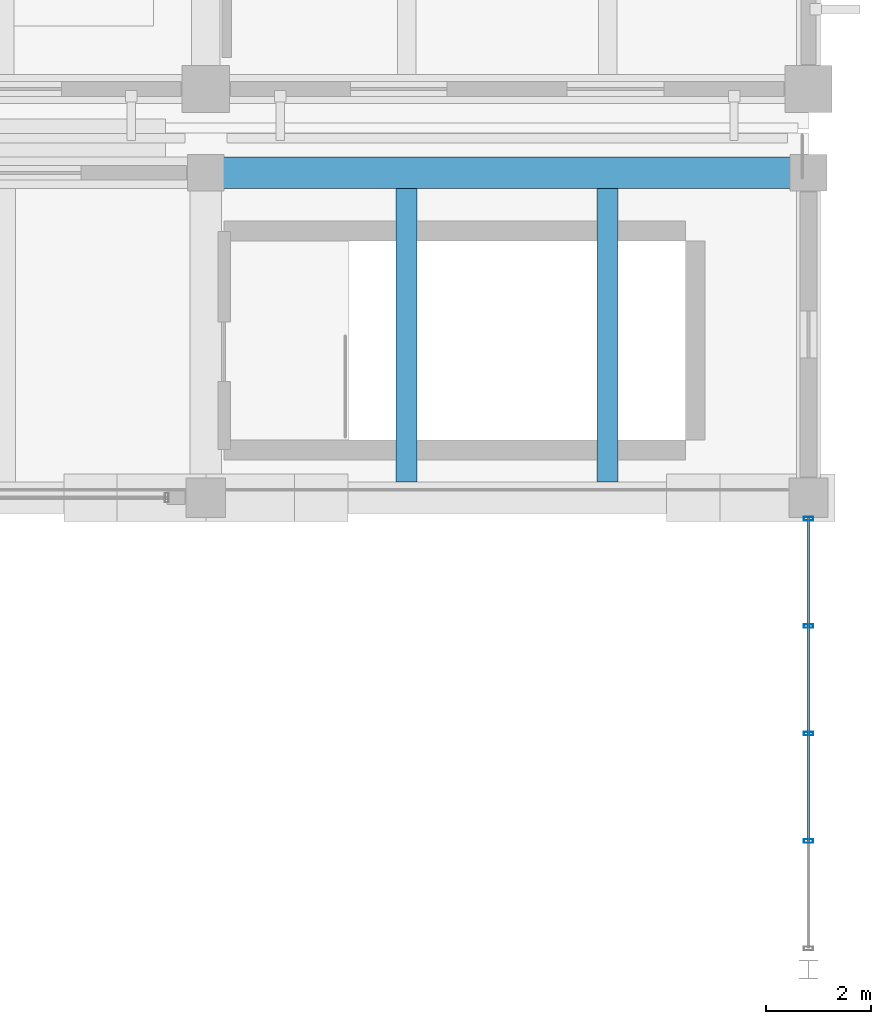
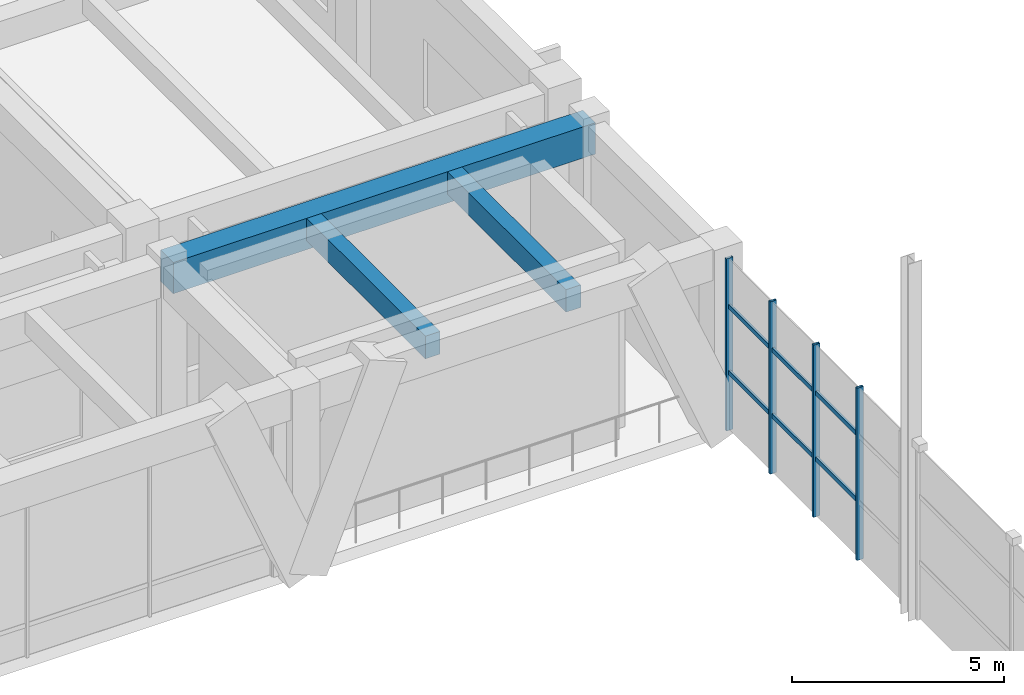
# One storey, part 108 of 148: 10 members, 3 beams, 1 element without a shape of its own.
"""IFC4 building model written with IfcOpenShell, lengths in metres."""

import ifcopenshell
import ifcopenshell.guid

model = None  # the IFC model being written
_history = None  # IfcOwnerHistory: only IFC2X3 demands one
_inside = {}  # id of a spatial element -> (the spatial element, [elements in it])
_under = {}  # id of a project, library or spatial element -> (it, [spatial elements below it])
_declared = {}  # id of a project -> (the project, [libraries it declares])
_typed = {}  # id of a type object -> (the type object, [elements of that type])
_made_of = {}  # id of a material, layer set ... -> (it, [elements and type objects made of it])


def new_model(schema):
    """Start an empty IFC model of exactly this schema.

    Asked for "IFC4X3", IfcOpenShell would pick the latest addendum, in which some entities
    have other attributes; the version numbers below select the first issue.
    IFC2X3 requires an IfcOwnerHistory on every rooted entity: one is made here for all.
    """
    global model, _history
    if schema == "IFC4X3":
        model = ifcopenshell.file(schema_version=(4, 3, 0, 0))
    else:
        model = ifcopenshell.file(schema=schema)
    _inside.clear()
    _under.clear()
    _declared.clear()
    _typed.clear()
    _made_of.clear()
    _history = None
    if model.schema == "IFC2X3":
        org = make("IfcOrganization", Name="unknown")
        user = make(
            "IfcPersonAndOrganization",
            ThePerson=make("IfcPerson", FamilyName="unknown"),
            TheOrganization=org,
        )
        app = make(
            "IfcApplication",
            ApplicationDeveloper=org,
            Version="unknown",
            ApplicationFullName="unknown",
            ApplicationIdentifier="unknown",
        )
        _history = make(
            "IfcOwnerHistory",
            OwningUser=user,
            OwningApplication=app,
            ChangeAction="ADDED",
            CreationDate=0,
        )
    return model


def make(cls, **values):
    """One entity of the class cls with the attributes given. An attribute that is None is left unset."""
    return model.create_entity(
        cls, **{name: value for name, value in values.items() if value is not None}
    )


def rooted(cls, **values):
    """An entity with a GlobalId (a new one), such as an element, a storey or a relation."""
    return make(cls, GlobalId=ifcopenshell.guid.new(), OwnerHistory=_history, **values)


def si_unit(unit_type, name, prefix=None):
    """IfcSIUnit, for example si_unit("LENGTHUNIT", "METRE", prefix="MILLI")."""
    return make("IfcSIUnit", UnitType=unit_type, Prefix=prefix, Name=name)


def assignment(units):
    """IfcUnitAssignment: the units of a project."""
    return None if units is None else make("IfcUnitAssignment", Units=units)


def point(xyz):
    """IfcCartesianPoint."""
    return None if xyz is None else make("IfcCartesianPoint", Coordinates=xyz)


def direction(xyz):
    """IfcDirection."""
    return None if xyz is None else make("IfcDirection", DirectionRatios=xyz)


def frame(location, z_axis=None, x_axis=None):
    """IfcAxis2Placement3D, a coordinate frame: its origin and axes. An axis left out is left unset."""
    return make(
        "IfcAxis2Placement3D",
        Location=point(location),
        Axis=direction(z_axis),
        RefDirection=direction(x_axis),
    )


def frame_2d(location, x_axis=None):
    """IfcAxis2Placement2D, a coordinate frame in the plane: its origin and x axis."""
    return make(
        "IfcAxis2Placement2D", Location=point(location), RefDirection=direction(x_axis)
    )


def origin():
    """The frame at (0, 0, 0) with its axes left unset."""
    return frame((0.0, 0.0, 0.0))


def origin_2d():
    """The frame at (0, 0) in the plane with its x axis left unset."""
    return frame_2d((0.0, 0.0))


def place(relative_to, where):
    """IfcLocalPlacement: puts the frame where relative to a parent placement (None: the world)."""
    return make(
        "IfcLocalPlacement", PlacementRelTo=relative_to, RelativePlacement=where
    )


def context(
    kind, dimensions, precision=None, world=None, true_north=None, identifier=None
):
    """IfcGeometricRepresentationContext, for example the 3D "Model" context."""
    return make(
        "IfcGeometricRepresentationContext",
        ContextIdentifier=identifier,
        ContextType=kind,
        CoordinateSpaceDimension=dimensions,
        Precision=precision,
        WorldCoordinateSystem=world,
        TrueNorth=true_north,
    )


def subcontext(parent, identifier, kind, view, scale=None):
    """IfcGeometricRepresentationSubContext, for example "Body" below "Model"."""
    return make(
        "IfcGeometricRepresentationSubContext",
        ContextIdentifier=identifier,
        ContextType=kind,
        ParentContext=parent,
        TargetScale=scale,
        TargetView=view,
    )


def project(units=None, contexts=None):
    """IfcProject with its units and contexts."""
    return rooted(
        "IfcProject",
        Name="project",
        RepresentationContexts=contexts,
        UnitsInContext=assignment(units),
    )


def spatial(cls, under=None, at=None, **own):
    """A site, building, storey or space (cls), placed at a placement, below another one or the project."""
    s = rooted(cls, ObjectPlacement=at, **own)
    if under is not None:
        _under.setdefault(under.id(), (under, []))[1].append(s)
    return s


def profile(cls, at=None, kind="AREA", **sizes):
    """A parametric profile (cls). Its sizes go by their IFC names, for example OverallWidth=200.0."""
    return make(cls, ProfileType=kind, Position=at, **sizes)


def rectangle(**sizes):
    """IfcRectangleProfileDef."""
    return profile("IfcRectangleProfileDef", **sizes)


def hollow_rectangle(**sizes):
    """IfcRectangleHollowProfileDef."""
    return profile("IfcRectangleHollowProfileDef", **sizes)


def extrude(swept, where, along, depth):
    """IfcExtrudedAreaSolid: the profile swept, set in the frame where, extruded along a direction by depth."""
    return make(
        "IfcExtrudedAreaSolid",
        SweptArea=swept,
        Position=where,
        ExtrudedDirection=direction(along),
        Depth=depth,
    )


def shape(context_of_items, identifier, shape_type, items):
    """IfcShapeRepresentation: the items that make up one representation, for example the "Body"."""
    return make(
        "IfcShapeRepresentation",
        ContextOfItems=context_of_items,
        RepresentationIdentifier=identifier,
        RepresentationType=shape_type,
        Items=items,
    )


def material(Name=None, Category=None):
    """IfcMaterial."""
    return make("IfcMaterial", Name=Name, Category=Category)


def material_profile(
    of_material, cross_section, Name=None, Category=None, Priority=None
):
    """IfcMaterialProfile: a cross section and its material."""
    return make(
        "IfcMaterialProfile",
        Name=Name,
        Material=of_material,
        Profile=cross_section,
        Priority=Priority,
        Category=Category,
    )


def profile_set(profiles, Name=None, composite=None):
    """IfcMaterialProfileSet."""
    return make(
        "IfcMaterialProfileSet",
        Name=Name,
        MaterialProfiles=profiles,
        CompositeProfile=composite,
    )


def made_of(thing, what):
    """Note that an element or type object is made of a material, layer set ...; save() writes the relation."""
    if what is not None:
        _made_of.setdefault(what.id(), (what, []))[1].append(thing)
    return thing


def type_object(cls, material=None, **own):
    """A type object (cls), such as IfcWallType, which elements share."""
    return made_of(rooted(cls, **own), material)


def element(
    cls,
    number,
    at=None,
    inside=None,
    cuts=None,
    type_object=None,
    material=None,
    context=None,
    identifier="Body",
    shape_type=None,
    held_by="IfcProductDefinitionShape",
    body=None,
    shapes=None,
    **own,
):
    """One element of the class cls, such as IfcWall. Its Tag is "e" and its number.

    at: its placement. inside: the storey or other place that contains it. cuts: it is an
    opening in that element (IfcRelVoidsElement). A single representation is given by context,
    identifier, shape_type and body (its items); several are given by shapes. held_by: the class
    of the entity that holds the representations. save() writes the other relations.
    """
    e = rooted(cls, Tag="e%d" % number, ObjectPlacement=at, **own)
    if body is not None:
        shapes = [shape(context, identifier, shape_type, body)]
    if shapes is not None:
        e.Representation = make(held_by, Representations=shapes)
    if inside is not None:
        _inside.setdefault(inside.id(), (inside, []))[1].append(e)
    if cuts is not None:
        rooted(
            "IfcRelVoidsElement", RelatingBuildingElement=cuts, RelatedOpeningElement=e
        )
    if type_object is not None:
        _typed.setdefault(type_object.id(), (type_object, []))[1].append(e)
    return made_of(e, material)


def aggregate(whole, parts):
    """IfcRelAggregates: a whole, such as a stair, and the parts it consists of."""
    return rooted("IfcRelAggregates", RelatingObject=whole, RelatedObjects=parts)


def save(model, path):
    """Write the relations noted so far, then the file.

    IfcRelAggregates (storeys below a building ...), IfcRelContainedInSpatialStructure (elements
    in a storey), IfcRelDefinesByType, IfcRelAssociatesMaterial and IfcRelDeclares: one each for
    every whole, place, type object, material and project.
    """
    for whole, parts in _under.values():
        aggregate(whole, parts)
    for where, things in _inside.values():
        rooted(
            "IfcRelContainedInSpatialStructure",
            RelatedElements=things,
            RelatingStructure=where,
        )
    for kind, things in _typed.values():
        rooted("IfcRelDefinesByType", RelatedObjects=things, RelatingType=kind)
    for what, things in _made_of.values():
        rooted("IfcRelAssociatesMaterial", RelatedObjects=things, RelatingMaterial=what)
    for by, libraries in _declared.values():
        rooted("IfcRelDeclares", RelatingContext=by, RelatedDefinitions=libraries)
    model.write(path)


model = new_model("IFC4")

# Units and contexts
model_context = context("Model", 3, precision=1e-05, world=origin(), true_north=direction((0.0, 1.0)))
body_context = subcontext(model_context, "Body", "Model", "MODEL_VIEW")
ifc_project = project(units=[si_unit("LENGTHUNIT", "METRE"), si_unit("AREAUNIT", "SQUARE_METRE"), si_unit("VOLUMEUNIT", "CUBIC_METRE"), si_unit("PLANEANGLEUNIT", "RADIAN"), si_unit("MASSUNIT", "GRAM", prefix="KILO")], contexts=[model_context])

# Site, building, storey
site_placement = place(None, origin())
site = spatial("IfcSite", under=ifc_project, at=site_placement, CompositionType="ELEMENT")
building_placement = place(site_placement, origin())
building = spatial("IfcBuilding", under=site, at=building_placement, Name="Ologun Quay Terminus", CompositionType="ELEMENT")
storey_placement = place(building_placement, frame((0.0, 0.0, 8.39990234375)))
storey = spatial("IfcBuildingStorey", under=building, at=storey_placement, Name="L02", CompositionType="ELEMENT", Elevation=8.39990234375)

# Curtain wall, members
ifc_material_1 = material(Name="Aluminium 6063-T6", Category="aluminium")
curtain_wall_type = type_object("IfcCurtainWallType", Name="Train Shed Gable Arch Screen 13500x4900", PredefinedType="USERDEFINED", material=ifc_material_1)
curtain_wall_placement = place(storey_placement, origin())
curtain_wall = element("IfcCurtainWall", 1, at=curtain_wall_placement, inside=storey, type_object=curtain_wall_type, Name="CW-10 Curtain Wall CW-GBL-E3", ObjectType="UNITISED CURTAIN WALL", PredefinedType="USERDEFINED")
ifc_material_2 = material(Name="Aluminium 6063-T6", Category="aluminium")
ifc_material_profile_1 = material_profile(ifc_material_2, hollow_rectangle(XDim=0.070068359375, YDim=0.179931640625, WallThickness=0.0048828125, at=origin_2d()), Name="ALU 180x70x5")
ifc_profile_set_1 = profile_set([ifc_material_profile_1], Name="Aluminium 6063-T6")
member_type_1 = type_object("IfcMemberType", Name="Concourse Clerestory Mullion 180x70", PredefinedType="MULLION", material=ifc_profile_set_1)
member_1_placement = place(storey_placement, frame((184.0, 71.449951171875, 0.14013671875), z_axis=(0.0, 0.0, 1.0), x_axis=(0.0, 1.0, 0.0)))
member_1 = element("IfcMember", 2, at=member_1_placement, type_object=member_type_1, Name="CW-GBL-E3 Mullion 2", PredefinedType="MULLION", context=body_context, shape_type="SweptSolid", body=[
    extrude(hollow_rectangle(XDim=0.070068359375, YDim=0.179931640625, WallThickness=0.0048828125, at=origin_2d()), origin(), (0.0, 0.0, 1.0), 4.9599609375),
])
member_2_placement = place(storey_placement, frame((184.0, 73.5, 0.14013671875), z_axis=(0.0, 0.0, 1.0), x_axis=(0.0, 1.0, 0.0)))
member_2 = element("IfcMember", 3, at=member_2_placement, type_object=member_type_1, Name="CW-GBL-E3 Mullion 3", PredefinedType="MULLION", context=body_context, shape_type="SweptSolid", body=[
    extrude(hollow_rectangle(XDim=0.070068359375, YDim=0.179931640625, WallThickness=0.0048828125, at=origin_2d()), origin(), (0.0, 0.0, 1.0), 4.9599609375),
])
member_3_placement = place(storey_placement, frame((184.0, 75.550048828125, 0.14013671875), z_axis=(0.0, 0.0, 1.0), x_axis=(0.0, 1.0, 0.0)))
member_3 = element("IfcMember", 4, at=member_3_placement, type_object=member_type_1, Name="CW-GBL-E3 Mullion 4", PredefinedType="MULLION", context=body_context, shape_type="SweptSolid", body=[
    extrude(hollow_rectangle(XDim=0.070068359375, YDim=0.179931640625, WallThickness=0.0048828125, at=origin_2d()), origin(), (0.0, 0.0, 1.0), 4.9599609375),
])
member_4_placement = place(storey_placement, frame((184.0, 77.60009765625, 0.14013671875), z_axis=(0.0, 0.0, 1.0), x_axis=(0.0, 1.0, 0.0)))
member_4 = element("IfcMember", 5, at=member_4_placement, type_object=member_type_1, Name="CW-GBL-E3 Mullion 5", PredefinedType="MULLION", context=body_context, shape_type="SweptSolid", body=[
    extrude(hollow_rectangle(XDim=0.070068359375, YDim=0.179931640625, WallThickness=0.0048828125, at=origin_2d()), origin(), (0.0, 0.0, 1.0), 4.9599609375),
])
ifc_material_3 = material(Name="Aluminium 6063-T6", Category="aluminium")
ifc_material_profile_2 = material_profile(ifc_material_3, hollow_rectangle(XDim=0.06005859375, YDim=0.1298828125, WallThickness=0.00390625, at=origin_2d()), Name="ALU 130x60x4")
ifc_profile_set_2 = profile_set([ifc_material_profile_2], Name="Aluminium 6063-T6")
member_type_2 = type_object("IfcMemberType", Name="Concourse Clerestory Transom 130x60", PredefinedType="USERDEFINED", material=ifc_profile_set_2)
member_5_placement = place(storey_placement, frame((184.0, 71.449951171875, 1.800048828125), z_axis=(0.0, 1.0, 0.0), x_axis=(-1.0, 0.0, 0.0)))
member_5 = element("IfcMember", 6, at=member_5_placement, type_object=member_type_2, Name="CW-GBL-E3 Transom B2-1", ObjectType="TRANSOM", PredefinedType="USERDEFINED", context=body_context, shape_type="SweptSolid", body=[
    extrude(hollow_rectangle(XDim=0.06005859375, YDim=0.1298828125, WallThickness=0.00390625, at=origin_2d()), origin(), (0.0, 0.0, 1.0), 2.050048828125),
])
member_6_placement = place(storey_placement, frame((184.0, 71.449951171875, 3.7001953125), z_axis=(0.0, 1.0, 0.0), x_axis=(-1.0, 0.0, 0.0)))
member_6 = element("IfcMember", 7, at=member_6_placement, type_object=member_type_2, Name="CW-GBL-E3 Transom B2-2", ObjectType="TRANSOM", PredefinedType="USERDEFINED", context=body_context, shape_type="SweptSolid", body=[
    extrude(hollow_rectangle(XDim=0.06005859375, YDim=0.1298828125, WallThickness=0.00390625, at=origin_2d()), origin(), (0.0, 0.0, 1.0), 2.050048828125),
])
member_7_placement = place(storey_placement, frame((184.0, 73.5, 1.800048828125), z_axis=(0.0, 1.0, 0.0), x_axis=(-1.0, 0.0, 0.0)))
member_7 = element("IfcMember", 8, at=member_7_placement, type_object=member_type_2, Name="CW-GBL-E3 Transom B3-1", ObjectType="TRANSOM", PredefinedType="USERDEFINED", context=body_context, shape_type="SweptSolid", body=[
    extrude(hollow_rectangle(XDim=0.06005859375, YDim=0.1298828125, WallThickness=0.00390625, at=origin_2d()), origin(), (0.0, 0.0, 1.0), 2.050048828125),
])
member_8_placement = place(storey_placement, frame((184.0, 73.5, 3.7001953125), z_axis=(0.0, 1.0, 0.0), x_axis=(-1.0, 0.0, 0.0)))
member_8 = element("IfcMember", 9, at=member_8_placement, type_object=member_type_2, Name="CW-GBL-E3 Transom B3-2", ObjectType="TRANSOM", PredefinedType="USERDEFINED", context=body_context, shape_type="SweptSolid", body=[
    extrude(hollow_rectangle(XDim=0.06005859375, YDim=0.1298828125, WallThickness=0.00390625, at=origin_2d()), origin(), (0.0, 0.0, 1.0), 2.050048828125),
])
member_9_placement = place(storey_placement, frame((184.0, 75.550048828125, 1.800048828125), z_axis=(0.0, 1.0, 0.0), x_axis=(-1.0, 0.0, 0.0)))
member_9 = element("IfcMember", 10, at=member_9_placement, type_object=member_type_2, Name="CW-GBL-E3 Transom B4-1", ObjectType="TRANSOM", PredefinedType="USERDEFINED", context=body_context, shape_type="SweptSolid", body=[
    extrude(hollow_rectangle(XDim=0.06005859375, YDim=0.1298828125, WallThickness=0.00390625, at=origin_2d()), origin(), (0.0, 0.0, 1.0), 2.050048828125),
])
member_10_placement = place(storey_placement, frame((184.0, 75.550048828125, 3.7001953125), z_axis=(0.0, 1.0, 0.0), x_axis=(-1.0, 0.0, 0.0)))
member_10 = element("IfcMember", 11, at=member_10_placement, type_object=member_type_2, Name="CW-GBL-E3 Transom B4-2", ObjectType="TRANSOM", PredefinedType="USERDEFINED", context=body_context, shape_type="SweptSolid", body=[
    extrude(hollow_rectangle(XDim=0.06005859375, YDim=0.1298828125, WallThickness=0.00390625, at=origin_2d()), origin(), (0.0, 0.0, 1.0), 2.050048828125),
])
aggregate(curtain_wall, [member_1, member_2, member_3, member_4, member_5, member_6, member_7, member_8, member_9, member_10])

# Beams
ifc_material_4 = material(Name="Concrete C40/50", Category="concrete")
ifc_material_profile_3 = material_profile(ifc_material_4, rectangle(XDim=0.60009765625, YDim=0.89990234375, at=origin_2d()), Name="RC 600x900")
ifc_profile_set_3 = profile_set([ifc_material_profile_3], Name="Concrete C40/50")
beam_type_1 = type_object("IfcBeamType", Name="Station Frame Girder 600x900", PredefinedType="BEAM", material=ifc_profile_set_3)
beam_placement = place(storey_placement, frame((172.5, 84.199951171875, 4.7001953125), z_axis=(1.0, 0.0, 0.0), x_axis=(0.0, 1.0, 0.0)))
element("IfcBeam", 12, at=beam_placement, inside=storey, type_object=beam_type_1, Name="B3 Beam 16/G1 L02", PredefinedType="BEAM", context=body_context, shape_type="SweptSolid", body=[
    extrude(rectangle(XDim=0.60009765625, YDim=0.89990234375, at=origin_2d()), origin(), (0.0, 0.0, 1.0), 11.5),
])
ifc_material_5 = material(Name="Concrete C40/50", Category="concrete")
ifc_material_profile_4 = material_profile(ifc_material_5, rectangle(XDim=0.39990234375, YDim=0.64990234375, at=origin_2d()), Name="RC 400x650")
ifc_profile_set_4 = profile_set([ifc_material_profile_4], Name="Concrete C40/50")
beam_type_2 = type_object("IfcBeamType", Name="Station Secondary Joist 400x650", PredefinedType="JOIST", material=ifc_profile_set_4)
for number, where, z_axis, x_axis, name in (
    (13, (176.333251953125, 78.300048828125, 4.8251953125), (0.0, 1.0, 0.0), (-1.0, 0.0, 0.0), "J1 Beam 16/F L02"),
    (14, (180.166748046875, 78.300048828125, 4.8251953125), (0.0, 1.0, 0.0), (-1.0, 0.0, 0.0), "J1 Beam 16/F L02"),
):
    element("IfcBeam", number, at=place(storey_placement, frame(where, z_axis=z_axis, x_axis=x_axis)), inside=storey, type_object=beam_type_2, Name=name, PredefinedType="JOIST", context=body_context, shape_type="SweptSolid", body=[
        extrude(rectangle(XDim=0.39990234375, YDim=0.64990234375, at=origin_2d()), origin(), (0.0, 0.0, 1.0), 5.599853515625),
    ])

save(model, "model.ifc")
